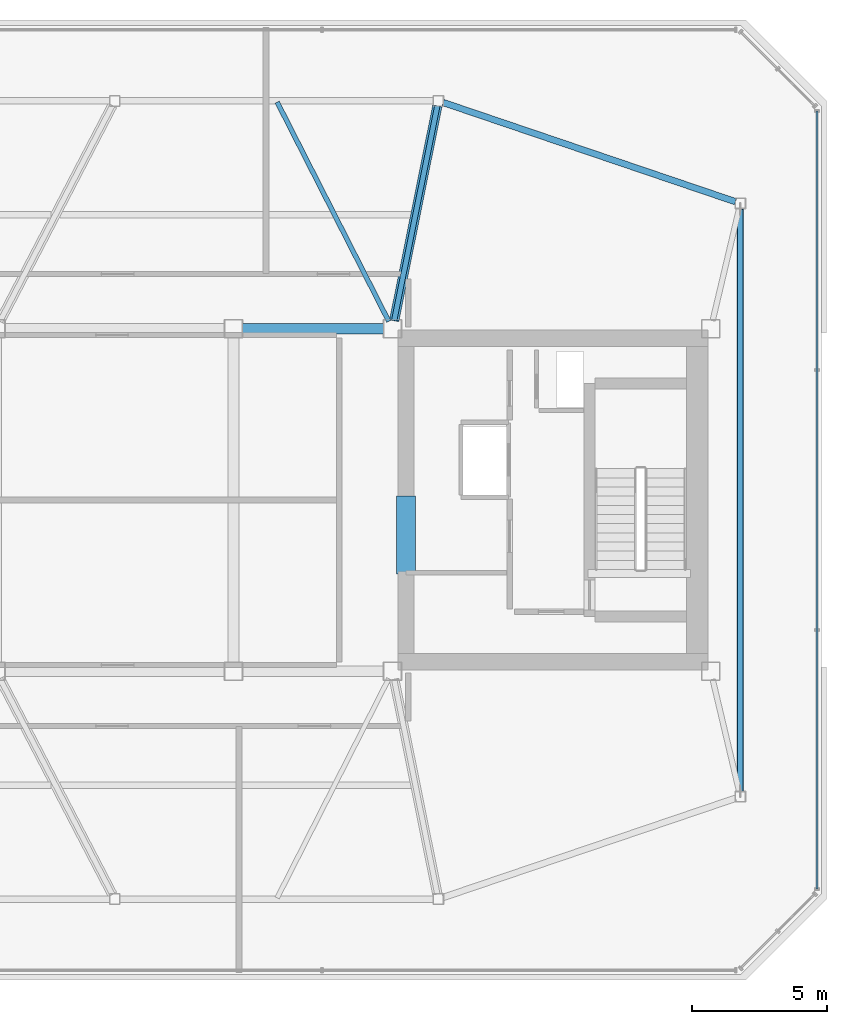
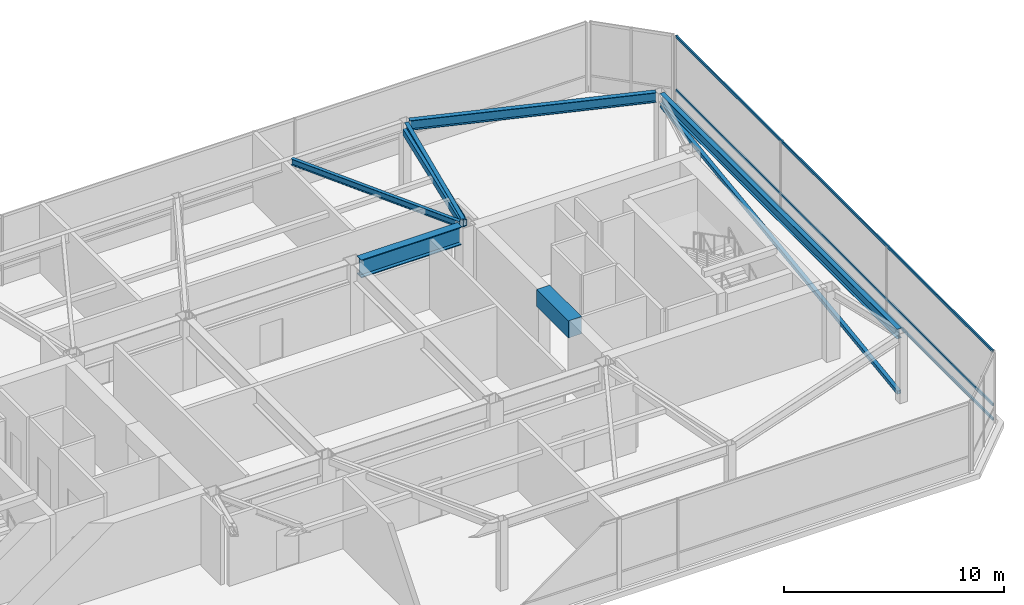
# One storey, part 12 of 22: 6 beams, 5 members, 1 element without a shape of its own.
"""IFC4 building model written with IfcOpenShell, lengths in metres."""

from ifc_helpers import new_model, si_unit, direction, frame, origin, origin_2d, place, context, subcontext, project, spatial, rectangle, hollow_rectangle, i_section, extrude, material, layer, layer_set, material_profile, profile_set, type_object, element, aggregate, save


model = new_model("IFC4")

# Units and contexts
model_context = context("Model", 3, precision=1e-05, world=origin(), true_north=direction((0.0, 1.0)))
body_context = subcontext(model_context, "Body", "Model", "MODEL_VIEW")
ifc_project = project(units=[si_unit("LENGTHUNIT", "METRE"), si_unit("AREAUNIT", "SQUARE_METRE"), si_unit("VOLUMEUNIT", "CUBIC_METRE"), si_unit("PLANEANGLEUNIT", "RADIAN"), si_unit("MASSUNIT", "GRAM", prefix="KILO")], contexts=[model_context])

# Site, building, storey
site_placement = place(None, origin())
site = spatial("IfcSite", under=ifc_project, at=site_placement, CompositionType="ELEMENT")
building_placement = place(site_placement, origin())
building = spatial("IfcBuilding", under=site, at=building_placement, Name="Tavrogorsk Clinical Tower", CompositionType="ELEMENT")
storey_placement = place(building_placement, frame((0.0, 0.0, 352.800048828125)))
storey = spatial("IfcBuildingStorey", under=building, at=storey_placement, Name="L82", CompositionType="ELEMENT", Elevation=352.800048828125)

# Beam
ifc_material_1 = material(Name="Concrete B80", Category="concrete")
ifc_material_profile_1 = material_profile(ifc_material_1, rectangle(XDim=0.699951171875, YDim=0.949951171875, at=origin_2d()), Name="RC-CB-700x950")
ifc_profile_set_1 = profile_set([ifc_material_profile_1], Name="Concrete B80")
beam_type_1 = type_object("IfcBeamType", Name="CouplingBeam_RC700x950", PredefinedType="LINTEL", material=ifc_profile_set_1)
beam_1_placement = place(storey_placement, frame((10.800048828125, -2.75, 3.405029296875), z_axis=(0.0, 1.0, 0.0), x_axis=(-1.0, 0.0, 0.0)))
element("IfcBeam", 1, at=beam_1_placement, inside=storey, type_object=beam_type_1, Name="L82 Core East Coupling Beam", PredefinedType="LINTEL", context=body_context, shape_type="SweptSolid", body=[
    extrude(rectangle(XDim=0.699951171875, YDim=0.949951171875, at=origin_2d()), origin(), (0.0, 0.0, 1.0), 2.89990234375),
])

# Members
ifc_material_2 = material(Name="Structural steel S355", Category="steel")
ifc_material_profile_2 = material_profile(ifc_material_2, hollow_rectangle(XDim=0.199951171875, YDim=0.199951171875, WallThickness=0.010009765625, at=origin_2d()), Name="SHS-200x200x10")
ifc_profile_set_2 = profile_set([ifc_material_profile_2], Name="Structural steel S355")
member_type_1 = type_object("IfcMemberType", Name="CrownBrace_SHS200", PredefinedType="BRACE", material=ifc_profile_set_2)
member_1_placement = place(storey_placement, frame((23.199951171875, -10.791748046875, 0.32763671875), z_axis=(0.0, 0.991247670493, 0.132015361767), x_axis=(-1.0, 0.0, 0.0)))
element("IfcMember", 2, at=member_1_placement, inside=storey, type_object=member_type_1, Name="L82 Crown Drum Brace 2", PredefinedType="BRACE", context=body_context, shape_type="SweptSolid", body=[
    extrude(hollow_rectangle(XDim=0.199951171875, YDim=0.199951171875, WallThickness=0.010009765625, at=origin_2d()), origin(), (0.0, 0.0, 1.0), 21.774169921875),
])
ifc_material_3 = material(Name="Structural steel S390", Category="steel")
ifc_material_profile_3 = material_profile(ifc_material_3, hollow_rectangle(XDim=0.35009765625, YDim=0.35009765625, WallThickness=0.01611328125, at=origin_2d()), Name="SHS-350x350x16")
ifc_profile_set_3 = profile_set([ifc_material_profile_3], Name="Structural steel S390")
member_type_2 = type_object("IfcMemberType", Name="CrownFacetRafter_SHS350", PredefinedType="RAFTER", material=ifc_profile_set_3)
member_2_placement = place(storey_placement, frame((10.361083984375, 6.65380859375, 3.649169921875), z_axis=(0.197131403057, 0.979759922029, -0.034780815313), x_axis=(-0.980353070529, 0.197250746779, 0.0)))
element("IfcMember", 3, at=member_2_placement, inside=storey, type_object=member_type_2, Name="L82 Sloped Facet Rafter N-3", PredefinedType="RAFTER", context=body_context, shape_type="SweptSolid", body=[
    extrude(hollow_rectangle(XDim=0.35009765625, YDim=0.35009765625, WallThickness=0.01611328125, at=origin_2d()), origin(), (0.0, 0.0, 1.0), 8.114501953125),
])

# Curtain wall, members
ifc_material_4 = material(Name="Anodised aluminium and triple IGU glazing", Category="aluminium")
ifc_layer = layer(ifc_material_4, 0.179931640625)
ifc_layer_set = layer_set([ifc_layer], Name="Anodised aluminium and triple IGU glazing")
curtain_wall_type = type_object("IfcCurtainWallType", Name="CW5_SkyLobby", PredefinedType="NOTDEFINED", material=ifc_layer_set)
curtain_wall_placement = place(storey_placement, origin())
curtain_wall = element("IfcCurtainWall", 4, at=curtain_wall_placement, inside=storey, type_object=curtain_wall_type, Name="L82 Curtain Wall CW-L82-DRUM-6", PredefinedType="NOTDEFINED")
ifc_material_5 = material(Name="Anodised aluminium alloy AW-6060", Category="aluminium")
ifc_material_profile_4 = material_profile(ifc_material_5, hollow_rectangle(XDim=0.074951171875, YDim=0.14990234375, WallThickness=0.0048828125, at=origin_2d()), Name="RHS-150x75x5")
ifc_profile_set_4 = profile_set([ifc_material_profile_4], Name="Anodised aluminium alloy AW-6060")
member_type_3 = type_object("IfcMemberType", Name="CwTransom_150x75", PredefinedType="USERDEFINED", material=ifc_profile_set_4)
member_3_placement = place(storey_placement, frame((26.0400390625, 14.4287109375, 0.050048828125), z_axis=(0.0, -1.0, 0.0), x_axis=(1.0, 0.0, 0.0)))
member_3 = element("IfcMember", 5, at=member_3_placement, type_object=member_type_3, Name="CW-L82-DRUM-6 Transom 1", ObjectType="TRANSOM", PredefinedType="USERDEFINED", context=body_context, shape_type="SweptSolid", body=[
    extrude(hollow_rectangle(XDim=0.074951171875, YDim=0.14990234375, WallThickness=0.0048828125, at=origin_2d()), origin(), (0.0, 0.0, 1.0), 28.857421875),
])
member_4_placement = place(storey_placement, frame((26.0400390625, 14.4287109375, 0.849853515625), z_axis=(0.0, -1.0, 0.0), x_axis=(1.0, 0.0, 0.0)))
member_4 = element("IfcMember", 6, at=member_4_placement, type_object=member_type_3, Name="CW-L82-DRUM-6 Transom 2", ObjectType="TRANSOM", PredefinedType="USERDEFINED", context=body_context, shape_type="SweptSolid", body=[
    extrude(hollow_rectangle(XDim=0.074951171875, YDim=0.14990234375, WallThickness=0.0048828125, at=origin_2d()), origin(), (0.0, 0.0, 1.0), 28.857421875),
])
member_5_placement = place(storey_placement, frame((26.0400390625, 14.4287109375, 3.829833984375), z_axis=(0.0, -1.0, 0.0), x_axis=(1.0, 0.0, 0.0)))
member_5 = element("IfcMember", 7, at=member_5_placement, type_object=member_type_3, Name="CW-L82-DRUM-6 Transom 3", ObjectType="TRANSOM", PredefinedType="USERDEFINED", context=body_context, shape_type="SweptSolid", body=[
    extrude(hollow_rectangle(XDim=0.074951171875, YDim=0.14990234375, WallThickness=0.0048828125, at=origin_2d()), origin(), (0.0, 0.0, 1.0), 28.857421875),
])
aggregate(curtain_wall, [member_3, member_4, member_5])

# Beams
ifc_material_6 = material(Name="Structural steel S355", Category="steel")
ifc_material_profile_5 = material_profile(ifc_material_6, i_section(OverallWidth=0.199951171875, OverallDepth=0.449951171875, WebThickness=0.011474609375, FlangeThickness=0.01806640625, at=origin_2d()), Name="B-450x200x11.5x18")
ifc_profile_set_5 = profile_set([ifc_material_profile_5], Name="Structural steel S355")
beam_type_2 = type_object("IfcBeamType", Name="FloorBeam_B450", PredefinedType="BEAM", material=ifc_profile_set_5)
beam_2_placement = place(storey_placement, frame((10.361083984375, 6.65380859375, 3.655029296875), z_axis=(0.197249355273, 0.980353350504, 0.0), x_axis=(-0.980353350504, 0.197249355273, 0.0)))
element("IfcBeam", 8, at=beam_2_placement, inside=storey, type_object=beam_type_2, Name="L82 Crown Radial Beam 06", PredefinedType="BEAM", context=body_context, shape_type="SweptSolid", body=[
    extrude(i_section(OverallWidth=0.199951171875, OverallDepth=0.449951171875, WebThickness=0.011474609375, FlangeThickness=0.01806640625, at=origin_2d()), origin(), (0.0, 0.0, 1.0), 8.119384765625),
])
ifc_material_7 = material(Name="Structural steel S355", Category="steel")
ifc_material_profile_6 = material_profile(ifc_material_7, i_section(OverallWidth=0.175048828125, OverallDepth=0.35009765625, WebThickness=0.009521484375, FlangeThickness=0.013916015625, at=origin_2d()), Name="B-350x175x9.5x14")
ifc_profile_set_6 = profile_set([ifc_material_profile_6], Name="Structural steel S355")
beam_type_3 = type_object("IfcBeamType", Name="SecondaryJoist_B350", PredefinedType="JOIST", material=ifc_profile_set_6)
beam_3_placement = place(storey_placement, frame((10.159423828125, 6.626220703125, 3.704833984375), z_axis=(-0.4535299827, 0.891241019474, 0.0), x_axis=(-0.891241019474, -0.4535299827, 0.0)))
element("IfcBeam", 9, at=beam_3_placement, inside=storey, type_object=beam_type_3, Name="L82 Crown Secondary Joist 04", PredefinedType="JOIST", context=body_context, shape_type="SweptSolid", body=[
    extrude(i_section(OverallWidth=0.175048828125, OverallDepth=0.35009765625, WebThickness=0.009521484375, FlangeThickness=0.013916015625, at=origin_2d()), origin(), (0.0, 0.0, 1.0), 9.12109375),
])
ifc_material_8 = material(Name="Structural steel S390", Category="steel")
ifc_material_profile_7 = material_profile(ifc_material_8, i_section(OverallWidth=0.239990234375, OverallDepth=0.550048828125, WebThickness=0.013916015625, FlangeThickness=0.02197265625, at=origin_2d()), Name="B-550x240x14x22")
ifc_profile_set_7 = profile_set([ifc_material_profile_7], Name="Structural steel S390")
beam_type_4 = type_object("IfcBeamType", Name="SpandrelBeam_B550", PredefinedType="SPANDREL", material=ifc_profile_set_7)
beam_4_placement = place(storey_placement, frame((23.199951171875, -10.81005859375, 3.60498046875), z_axis=(0.0, 1.0, 0.0), x_axis=(-1.0, 0.0, 0.0)))
element("IfcBeam", 10, at=beam_4_placement, inside=storey, type_object=beam_type_4, Name="L82 Crown Spandrel Beam 04", PredefinedType="SPANDREL", context=body_context, shape_type="SweptSolid", body=[
    extrude(i_section(OverallWidth=0.239990234375, OverallDepth=0.550048828125, WebThickness=0.013916015625, FlangeThickness=0.02197265625, at=origin_2d()), origin(), (0.0, 0.0, 1.0), 21.6201171875),
])
beam_5_placement = place(storey_placement, frame((23.02001953125, 11.06103515625, 3.60498046875), z_axis=(-0.946976266831, 0.321303517034, 0.0), x_axis=(-0.321303517034, -0.946976266831, 0.0)))
element("IfcBeam", 11, at=beam_5_placement, inside=storey, type_object=beam_type_4, Name="L82 Crown Spandrel Beam 05", PredefinedType="SPANDREL", context=body_context, shape_type="SweptSolid", body=[
    extrude(i_section(OverallWidth=0.239990234375, OverallDepth=0.550048828125, WebThickness=0.013916015625, FlangeThickness=0.02197265625, at=origin_2d()), origin(), (0.0, 0.0, 1.0), 11.447021484375),
])
ifc_material_9 = material(Name="Structural steel S440", Category="steel")
ifc_material_profile_8 = material_profile(ifc_material_9, i_section(OverallWidth=0.39990234375, OverallDepth=1.0, WebThickness=0.028076171875, FlangeThickness=0.044921875, at=origin_2d()), Name="DK-1000x400x28x45")
ifc_profile_set_8 = profile_set([ifc_material_profile_8], Name="Structural steel S440")
beam_type_5 = type_object("IfcBeamType", Name="TransferGirder_DK1000", PredefinedType="USERDEFINED", material=ifc_profile_set_8)
beam_6_placement = place(storey_placement, frame((4.7099609375, 6.35009765625, 3.3798828125), z_axis=(1.0, 0.0, 0.0), x_axis=(0.0, 1.0, 0.0)))
element("IfcBeam", 12, at=beam_6_placement, inside=storey, type_object=beam_type_5, Name="L82 Primary Spine Girder MG-06", ObjectType="GIRDER", PredefinedType="USERDEFINED", context=body_context, shape_type="SweptSolid", body=[
    extrude(i_section(OverallWidth=0.39990234375, OverallDepth=1.0, WebThickness=0.028076171875, FlangeThickness=0.044921875, at=origin_2d()), origin(), (0.0, 0.0, 1.0), 5.280029296875),
])

save(model, "model.ifc")
